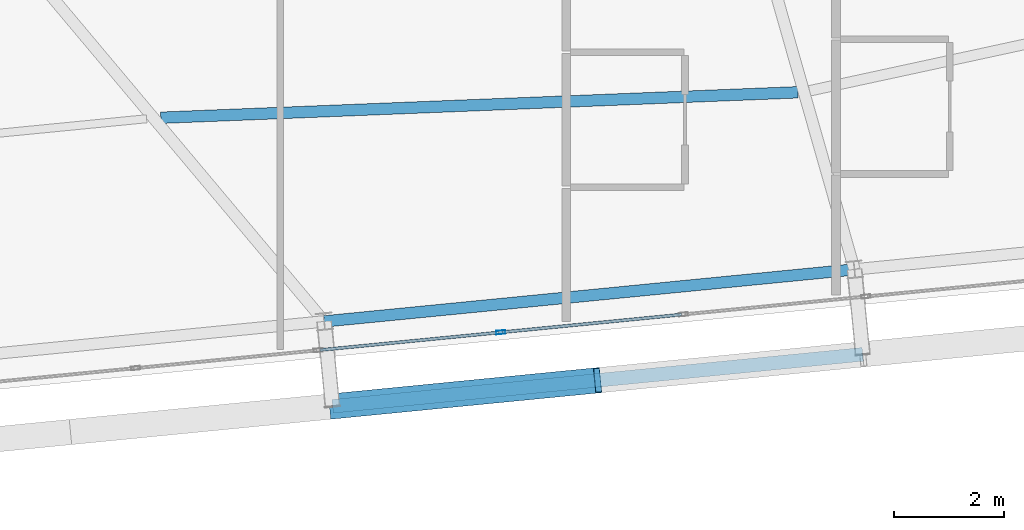
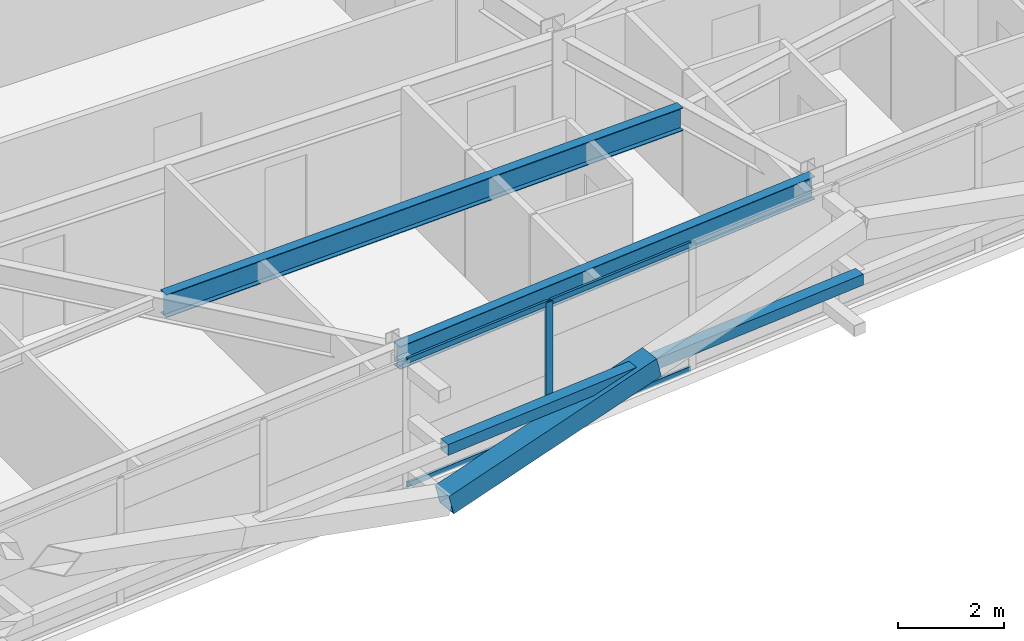
# One storey, part 11 of 54: 7 members, 2 beams, 1 element without a shape of its own.
"""IFC4 building model written with IfcOpenShell, lengths in metres."""

from ifc_helpers import new_model, si_unit, direction, frame, origin, origin_2d, place, context, subcontext, project, spatial, hollow_rectangle, i_section, extrude, source, transform, mapped, material, layer, layer_set, material_profile, profile_set, type_object, element, aggregate, save


model = new_model("IFC4")

# Units and contexts
model_context = context("Model", 3, precision=1e-05, world=origin(), true_north=direction((0.0, 1.0)))
body_context = subcontext(model_context, "Body", "Model", "MODEL_VIEW")
ifc_project = project(units=[si_unit("LENGTHUNIT", "METRE"), si_unit("AREAUNIT", "SQUARE_METRE"), si_unit("VOLUMEUNIT", "CUBIC_METRE"), si_unit("PLANEANGLEUNIT", "RADIAN"), si_unit("MASSUNIT", "GRAM", prefix="KILO")], contexts=[model_context])

# Site, building, storey
site_placement = place(None, origin())
site = spatial("IfcSite", under=ifc_project, at=site_placement, CompositionType="ELEMENT")
building_placement = place(site_placement, origin())
building = spatial("IfcBuilding", under=site, at=building_placement, Name="Taldren Reach Tower", CompositionType="ELEMENT")
storey_placement = place(building_placement, frame((0.0, 0.0, 99.75)))
storey = spatial("IfcBuildingStorey", under=building, at=storey_placement, Name="L30", CompositionType="ELEMENT", Elevation=99.75)

# Beams
ifc_material_1 = material(Name="Steel Gr 350 (350PLUS)", Category="steel")
ifc_material_profile_1 = material_profile(ifc_material_1, i_section(OverallWidth=0.208984375, OverallDepth=0.528076171875, WebThickness=0.009521484375, FlangeThickness=0.01318359375, at=origin_2d()), Name="530UB82.0")
ifc_profile_set_1 = profile_set([ifc_material_profile_1], Name="Steel Gr 350 (350PLUS)")
beam_type_1 = type_object("IfcBeamType", Name="SP-UB530B", PredefinedType="SPANDREL", material=ifc_profile_set_1)
shared_shape_1 = source(origin(), body_context, "Body", "SweptSolid", [
    extrude(i_section(OverallWidth=0.208984375, OverallDepth=0.528076171875, WebThickness=0.009521484375, FlangeThickness=0.01318359375, at=origin_2d()), origin(), (0.0, 0.0, 1.0), 9.679931640625),
])
beam_1_placement = place(storey_placement, frame((34.20166015625, 1.809326171875, 2.666015625), z_axis=(0.995227612658, 0.097580730699, 0.0), x_axis=(-0.097580730699, 0.995227612658, 0.0)))
element("IfcBeam", 1, at=beam_1_placement, inside=storey, type_object=beam_type_1, Name="Perimeter spandrel B2 S3-S4 L30", PredefinedType="SPANDREL", context=body_context, shape_type="MappedRepresentation", body=[
    mapped(shared_shape_1, transform((0.0, 0.0, 0.0), scale=1.0)),
])
ifc_material_profile_2 = material_profile(ifc_material_1, i_section(OverallWidth=0.208984375, OverallDepth=0.532958984375, WebThickness=0.01025390625, FlangeThickness=0.015625, at=origin_2d()), Name="530UB92.4")
ifc_profile_set_2 = profile_set([ifc_material_profile_2], Name="Steel Gr 350 (350PLUS)")
beam_type_2 = type_object("IfcBeamType", Name="BM-UB530A", PredefinedType="BEAM", material=ifc_profile_set_2)
shared_shape_2 = source(origin(), body_context, "Body", "SweptSolid", [
    extrude(i_section(OverallWidth=0.208984375, OverallDepth=0.532958984375, WebThickness=0.01025390625, FlangeThickness=0.015625, at=origin_2d()), origin(), (0.0, 0.0, 1.0), 11.586669921875),
])
beam_2_placement = place(storey_placement, frame((31.23291015625, 5.510009765625, 2.66357421875), z_axis=(0.999202506312, 0.039929329821, 0.0), x_axis=(-0.039929329821, 0.999202506312, 0.0)))
element("IfcBeam", 2, at=beam_2_placement, inside=storey, type_object=beam_type_2, Name="Secondary floor beam B2 J3 L30", PredefinedType="BEAM", context=body_context, shape_type="MappedRepresentation", body=[
    mapped(shared_shape_2, transform((0.0, 0.0, 0.0), scale=1.0)),
])

# Members
ifc_material_2 = material(Name="Steel Gr 450 (C450L0)", Category="steel")
ifc_material_profile_3 = material_profile(ifc_material_2, hollow_rectangle(XDim=0.4599609375, YDim=0.4599609375, WallThickness=0.01611328125, at=origin_2d()), Name="460x460x16.0SHS")
ifc_profile_set_3 = profile_set([ifc_material_profile_3], Name="Steel Gr 450 (C450L0)")
member_type_1 = type_object("IfcMemberType", Name="MB-EXO457", PredefinedType="BRACE", material=ifc_profile_set_3)
shared_shape_3 = source(origin(), body_context, "Body", "SweptSolid", [
    extrude(hollow_rectangle(XDim=0.4599609375, YDim=0.4599609375, WallThickness=0.01611328125, at=origin_2d()), origin(), (0.0, 0.0, 1.0), 4.990234375),
])
member_1_placement = place(storey_placement, frame((34.35302734375, 0.2666015625, 0.219970703125), z_axis=(0.965271056716, 0.094667992638, 0.243494883389), x_axis=(-0.097605711627, 0.995225162995, 0.0)))
element("IfcMember", 3, at=member_1_placement, inside=storey, type_object=member_type_1, Name="Exoskeleton Diagrid Brace B2-S3 L30", PredefinedType="BRACE", context=body_context, shape_type="MappedRepresentation", body=[
    mapped(shared_shape_3, transform((0.0, 0.0, 0.0), scale=1.0)),
])
ifc_material_3 = material(Name="Steel Gr 350 (C350L0)", Category="steel")
ifc_material_profile_4 = material_profile(ifc_material_3, hollow_rectangle(XDim=0.25, YDim=0.25, WallThickness=0.010009765625, at=origin_2d()), Name="250x250x10.0SHS")
ifc_profile_set_4 = profile_set([ifc_material_profile_4], Name="Steel Gr 350 (C350L0)")
member_type_2 = type_object("IfcMemberType", Name="MB-POST250", PredefinedType="POST", material=ifc_profile_set_4)
shared_shape_4 = source(origin(), body_context, "Body", "SweptSolid", [
    extrude(hollow_rectangle(XDim=0.25, YDim=0.25, WallThickness=0.010009765625, at=origin_2d()), origin(), (0.0, 0.0, 1.0), 9.679931640625),
])
member_2_placement = place(storey_placement, frame((34.35302734375, 0.2666015625, 1.43505859375), z_axis=(0.995225162995, 0.097605711627, 0.0), x_axis=(-0.097605711627, 0.995225162995, 0.0)))
element("IfcMember", 4, at=member_2_placement, inside=storey, type_object=member_type_2, Name="Exoskeleton mid-height ring chord B2-S3 L30", PredefinedType="POST", context=body_context, shape_type="MappedRepresentation", body=[
    mapped(shared_shape_4, transform((0.0, 0.0, 0.0), scale=1.0)),
])

# Curtain wall, members
ifc_material_4 = material(Name="Aluminium and Low-E Glass Unitised System", Category="aluminium")
ifc_layer = layer(ifc_material_4, 0.159912109375)
ifc_layer_set = layer_set([ifc_layer], Name="Aluminium and Low-E Glass Unitised System")
curtain_wall_type = type_object("IfcCurtainWallType", Name="CW-SYS-3", PredefinedType="NOTDEFINED", material=ifc_layer_set)
curtain_wall_placement = place(storey_placement, origin())
curtain_wall = element("IfcCurtainWall", 5, at=curtain_wall_placement, inside=storey, type_object=curtain_wall_type, Name="Unitised curtain wall CW-L30-S", PredefinedType="NOTDEFINED")
ifc_material_5 = material(Name="Anodised Aluminium 6063-T6", Category="aluminium")
ifc_material_profile_5 = material_profile(ifc_material_5, hollow_rectangle(XDim=0.06494140625, YDim=0.1650390625, WallThickness=0.00390625, at=origin_2d()), Name="ALU-165x65x4RHS")
ifc_profile_set_5 = profile_set([ifc_material_profile_5], Name="Anodised Aluminium 6063-T6")
member_type_3 = type_object("IfcMemberType", Name="CW-MUL-165", PredefinedType="MULLION", material=ifc_profile_set_5)
shared_shape_5 = source(origin(), body_context, "Body", "SweptSolid", [
    extrude(hollow_rectangle(XDim=0.06494140625, YDim=0.1650390625, WallThickness=0.00390625, at=origin_2d()), origin(), (0.0, 0.0, 1.0), 2.929931640625),
])
member_3_placement = place(storey_placement, frame((37.40966796875, 1.611328125, 0.0), z_axis=(0.0, 0.0, 1.0), x_axis=(-0.097582999046, 0.995227390247, 0.0)))
member_3 = element("IfcMember", 6, at=member_3_placement, type_object=member_type_3, Name="CW-3 mullion 8", PredefinedType="MULLION", context=body_context, shape_type="MappedRepresentation", body=[
    mapped(shared_shape_5, transform((0.0, 0.0, 0.0), scale=1.0)),
])
ifc_material_profile_6 = material_profile(ifc_material_5, hollow_rectangle(XDim=0.054931640625, YDim=0.1201171875, WallThickness=0.0029296875, at=origin_2d()), Name="ALU-120x55x3RHS")
ifc_profile_set_6 = profile_set([ifc_material_profile_6], Name="Anodised Aluminium 6063-T6")
member_type_4 = type_object("IfcMemberType", Name="CW-TRN-135", PredefinedType="USERDEFINED", material=ifc_profile_set_6)
shared_shape_6 = source(origin(), body_context, "Body", "SweptSolid", [
    extrude(hollow_rectangle(XDim=0.054931640625, YDim=0.1201171875, WallThickness=0.0029296875, at=origin_2d()), origin(), (0.0, 0.0, 1.0), 3.268310546875),
])
member_4_placement = place(storey_placement, frame((34.124755859375, 1.289306640625, 0.027587890625), z_axis=(0.99522980512, 0.097558367146, 0.0), x_axis=(-0.097558367146, 0.99522980512, 0.0)))
member_4 = element("IfcMember", 7, at=member_4_placement, type_object=member_type_4, Name="CW-3 transom 7.1", ObjectType="TRANSOM", PredefinedType="USERDEFINED", context=body_context, shape_type="MappedRepresentation", body=[
    mapped(shared_shape_6, transform((0.0, 0.0, 0.0), scale=1.0)),
])
member_5_placement = place(storey_placement, frame((34.124755859375, 1.289306640625, 2.902587890625), z_axis=(0.99522980512, 0.097558367146, 0.0), x_axis=(-0.097558367146, 0.99522980512, 0.0)))
member_5 = element("IfcMember", 8, at=member_5_placement, type_object=member_type_4, Name="CW-3 transom 7.2", ObjectType="TRANSOM", PredefinedType="USERDEFINED", context=body_context, shape_type="MappedRepresentation", body=[
    mapped(shared_shape_6, transform((0.0, 0.0, 0.0), scale=1.0)),
])
member_6_placement = place(storey_placement, frame((37.442138671875, 1.614501953125, 0.027587890625), z_axis=(0.995222549564, 0.097632355496, 0.0), x_axis=(-0.097632355496, 0.995222549564, 0.0)))
member_6 = element("IfcMember", 9, at=member_6_placement, type_object=member_type_4, Name="CW-3 transom 8.1", ObjectType="TRANSOM", PredefinedType="USERDEFINED", context=body_context, shape_type="MappedRepresentation", body=[
    mapped(shared_shape_6, transform((0.0, 0.0, 0.0), scale=1.0)),
])
member_7_placement = place(storey_placement, frame((37.442138671875, 1.614501953125, 2.902587890625), z_axis=(0.995222549564, 0.097632355496, 0.0), x_axis=(-0.097632355496, 0.995222549564, 0.0)))
member_7 = element("IfcMember", 10, at=member_7_placement, type_object=member_type_4, Name="CW-3 transom 8.2", ObjectType="TRANSOM", PredefinedType="USERDEFINED", context=body_context, shape_type="MappedRepresentation", body=[
    mapped(shared_shape_6, transform((0.0, 0.0, 0.0), scale=1.0)),
])
aggregate(curtain_wall, [member_3, member_4, member_5, member_6, member_7])

save(model, "model.ifc")
